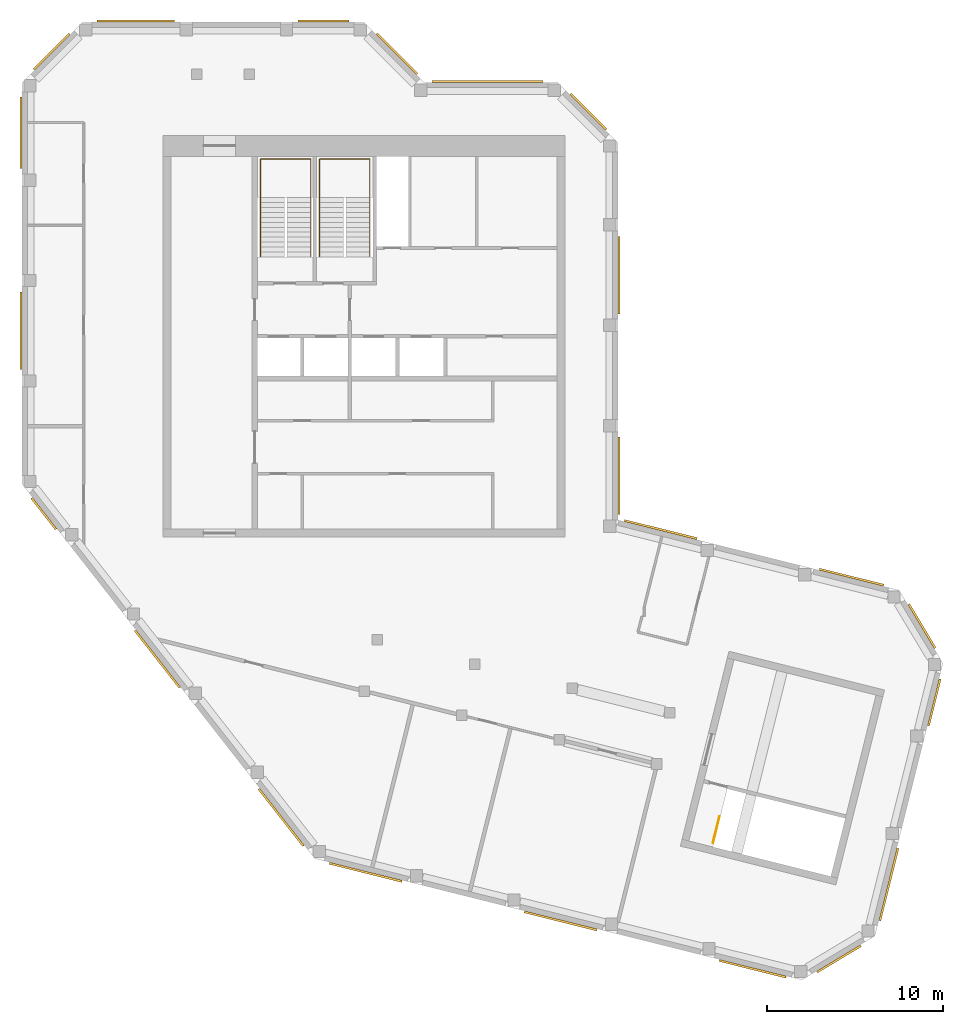
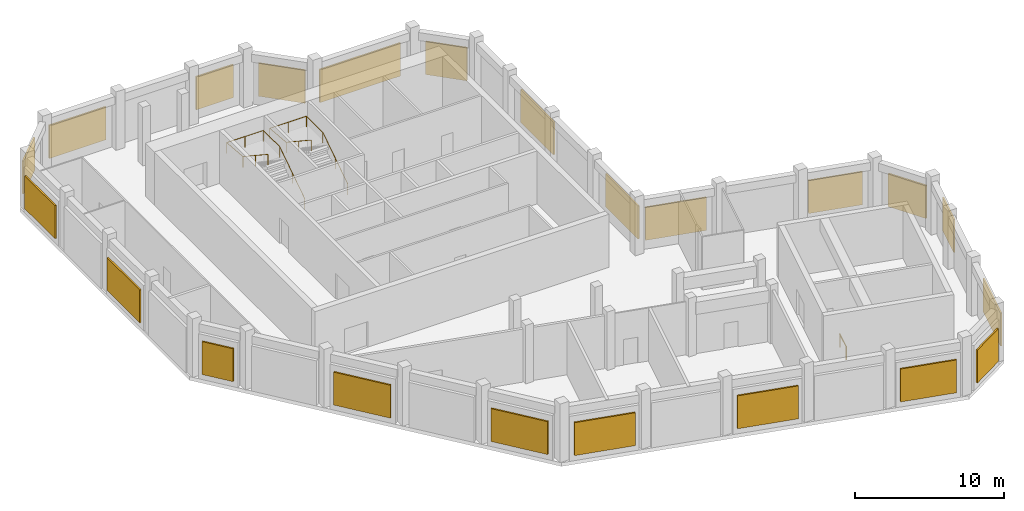
# One storey, part 5 of 5: 22 shading devices, 3 railings.
"""IFC4 building model written with IfcOpenShell, lengths in metres."""

from ifc_helpers import new_model, si_unit, direction, frame, origin, origin_2d, place, context, subcontext, project, spatial, rectangle, circle, extrude, material, layer, layer_set, type_object, element, save


model = new_model("IFC4")

# Units and contexts
model_context = context("Model", 3, precision=1e-05, world=origin(), true_north=direction((0.0, 1.0)))
body_context = subcontext(model_context, "Body", "Model", "MODEL_VIEW")
ifc_project = project(units=[si_unit("LENGTHUNIT", "METRE"), si_unit("AREAUNIT", "SQUARE_METRE"), si_unit("VOLUMEUNIT", "CUBIC_METRE"), si_unit("PLANEANGLEUNIT", "RADIAN"), si_unit("MASSUNIT", "GRAM", prefix="KILO")], contexts=[model_context])

# Site, building, storey
site_placement = place(None, origin())
site = spatial("IfcSite", under=ifc_project, at=site_placement, CompositionType="ELEMENT")
building_placement = place(site_placement, origin())
building = spatial("IfcBuilding", under=site, at=building_placement, Name="Meshkara Civic Tower", CompositionType="ELEMENT")
storey_placement = place(building_placement, frame((0.0, 0.0, 414.60009765625)))
storey = spatial("IfcBuildingStorey", under=building, at=storey_placement, Name="L95 Crown", CompositionType="ELEMENT", Elevation=414.60009765625)

# Shading devices
ifc_material_1 = material(Name="Bronze anodised aluminium louvre blades", Category="aluminium")
ifc_layer = layer(ifc_material_1, 0.1201171875)
ifc_layer_set = layer_set([ifc_layer], Name="CROWN LOUVRE BANK")
shading_device_type = type_object("IfcShadingDeviceType", Name="CROWN LOUVRE BANK", PredefinedType="USERDEFINED", material=ifc_layer_set)
shading_device_1_placement = place(storey_placement, frame((47.06396484375, 11.824951171875, 0.5), z_axis=(0.0, 0.0, 1.0), x_axis=(-0.970287281018, 0.241955765163, 0.0)))
element("IfcShadingDevice", 1, at=shading_device_1_placement, inside=storey, type_object=shading_device_type, Name="Louvre bank", ObjectType="LOUVRE", PredefinedType="USERDEFINED", context=body_context, shape_type="SweptSolid", body=[
    extrude(rectangle(XDim=3.76611328125, YDim=0.1201171875, at=origin_2d()), origin(), (0.0, 0.0, 1.0), 2.699951171875),
])
shading_device_2_placement = place(storey_placement, frame((36.239013671875, 14.52490234375, 0.5), z_axis=(0.0, 0.0, 1.0), x_axis=(-0.970287281018, 0.241955765163, 0.0)))
element("IfcShadingDevice", 2, at=shading_device_2_placement, inside=storey, type_object=shading_device_type, Name="Louvre bank", ObjectType="LOUVRE", PredefinedType="USERDEFINED", context=body_context, shape_type="SweptSolid", body=[
    extrude(rectangle(XDim=4.251953125, YDim=0.1201171875, at=origin_2d()), origin(), (0.0, 0.0, 1.0), 2.699951171875),
])
for number, where, z_axis, x_axis, name in (
    (3, (33.860107421875, 17.569091796875, 0.5), (0.0, 0.0, 1.0), (0.0, 1.0, 0.0), "Louvre bank"),
    (4, (33.860107421875, 28.968994140625, 0.5), (0.0, 0.0, 1.0), (0.0, 1.0, 0.0), "Louvre bank"),
):
    element("IfcShadingDevice", number, at=place(storey_placement, frame(where, z_axis=z_axis, x_axis=x_axis)), inside=storey, type_object=shading_device_type, Name=name, ObjectType="LOUVRE", PredefinedType="USERDEFINED", context=body_context, shape_type="SweptSolid", body=[
        extrude(rectangle(XDim=4.39990234375, YDim=0.1201171875, at=origin_2d()), origin(), (0.0, 0.0, 1.0), 2.699951171875),
    ])
shading_device_3_placement = place(storey_placement, frame((32.132080078125, 38.23193359375, 0.5), z_axis=(0.0, 0.0, 1.0), x_axis=(-0.707106781187, 0.707106781187, 0.0)))
element("IfcShadingDevice", 5, at=shading_device_3_placement, inside=storey, type_object=shading_device_type, Name="Louvre bank", ObjectType="LOUVRE", PredefinedType="USERDEFINED", context=body_context, shape_type="SweptSolid", body=[
    extrude(rectangle(XDim=2.873046875, YDim=0.1201171875, at=origin_2d()), origin(), (0.0, 0.0, 1.0), 2.699951171875),
])
shading_device_4_placement = place(storey_placement, frame((26.404052734375, 39.9599609375, 0.5), z_axis=(0.0, 0.0, 1.0), x_axis=(-1.0, 0.0, 0.0)))
element("IfcShadingDevice", 6, at=shading_device_4_placement, inside=storey, type_object=shading_device_type, Name="Louvre bank", ObjectType="LOUVRE", PredefinedType="USERDEFINED", context=body_context, shape_type="SweptSolid", body=[
    extrude(rectangle(XDim=6.280029296875, YDim=0.1201171875, at=origin_2d()), origin(), (0.0, 0.0, 1.0), 2.699951171875),
])
shading_device_5_placement = place(storey_placement, frame((21.263916015625, 41.52001953125, 0.5), z_axis=(0.0, 0.0, 1.0), x_axis=(-0.707106781187, 0.707106781187, 0.0)))
element("IfcShadingDevice", 7, at=shading_device_5_placement, inside=storey, type_object=shading_device_type, Name="Louvre bank", ObjectType="LOUVRE", PredefinedType="USERDEFINED", context=body_context, shape_type="SweptSolid", body=[
    extrude(rectangle(XDim=3.2470703125, YDim=0.1201171875, at=origin_2d()), origin(), (0.0, 0.0, 1.0), 2.699951171875),
])
shading_device_6_placement = place(storey_placement, frame((17.10009765625, 43.3798828125, 0.5), z_axis=(0.0, 0.0, 1.0), x_axis=(-1.0, 0.0, 0.0)))
element("IfcShadingDevice", 8, at=shading_device_6_placement, inside=storey, type_object=shading_device_type, Name="Louvre bank", ObjectType="LOUVRE", PredefinedType="USERDEFINED", context=body_context, shape_type="SweptSolid", body=[
    extrude(rectangle(XDim=2.887939453125, YDim=0.1201171875, at=origin_2d()), origin(), (0.0, 0.0, 1.0), 2.699951171875),
])
shading_device_7_placement = place(storey_placement, frame((6.4560546875, 43.3798828125, 0.5), z_axis=(0.0, 0.0, 1.0), x_axis=(-1.0, 0.0, 0.0)))
element("IfcShadingDevice", 9, at=shading_device_7_placement, inside=storey, type_object=shading_device_type, Name="Louvre bank", ObjectType="LOUVRE", PredefinedType="USERDEFINED", context=body_context, shape_type="SweptSolid", body=[
    extrude(rectangle(XDim=4.39990234375, YDim=0.1201171875, at=origin_2d()), origin(), (0.0, 0.0, 1.0), 2.699951171875),
])
shading_device_8_placement = place(storey_placement, frame((1.66796875, 41.652099609375, 0.5), z_axis=(0.0, 0.0, 1.0), x_axis=(-0.707106781187, -0.707106781187, 0.0)))
element("IfcShadingDevice", 10, at=shading_device_8_placement, inside=storey, type_object=shading_device_type, Name="Louvre bank", ObjectType="LOUVRE", PredefinedType="USERDEFINED", context=body_context, shape_type="SweptSolid", body=[
    extrude(rectangle(XDim=2.873046875, YDim=0.1201171875, at=origin_2d()), origin(), (0.0, 0.0, 1.0), 2.699951171875),
])
shading_device_9_placement = place(storey_placement, frame((-0.06005859375, 37.033935546875, 0.5), z_axis=(0.0, 0.0, 1.0), x_axis=(0.0, -1.0, 0.0)))
element("IfcShadingDevice", 11, at=shading_device_9_placement, inside=storey, type_object=shading_device_type, Name="Louvre bank", ObjectType="LOUVRE", PredefinedType="USERDEFINED", context=body_context, shape_type="SweptSolid", body=[
    extrude(rectangle(XDim=4.05908203125, YDim=0.1201171875, at=origin_2d()), origin(), (0.0, 0.0, 1.0), 2.699951171875),
])
shading_device_10_placement = place(storey_placement, frame((-0.06005859375, 25.804931640625, 0.5), z_axis=(0.0, 0.0, 1.0), x_axis=(0.0, -1.0, 0.0)))
element("IfcShadingDevice", 12, at=shading_device_10_placement, inside=storey, type_object=shading_device_type, Name="Louvre bank", ObjectType="LOUVRE", PredefinedType="USERDEFINED", context=body_context, shape_type="SweptSolid", body=[
    extrude(rectangle(XDim=4.39990234375, YDim=0.1201171875, at=origin_2d()), origin(), (0.0, 0.0, 1.0), 2.699951171875),
])
shading_device_11_placement = place(storey_placement, frame((1.22998046875, 15.427978515625, 0.5), z_axis=(0.0, 0.0, 1.0), x_axis=(0.615661475326, -0.788010753607, 0.0)))
element("IfcShadingDevice", 13, at=shading_device_11_placement, inside=storey, type_object=shading_device_type, Name="Louvre bank", ObjectType="LOUVRE", PredefinedType="USERDEFINED", context=body_context, shape_type="SweptSolid", body=[
    extrude(rectangle(XDim=2.257080078125, YDim=0.1201171875, at=origin_2d()), origin(), (0.0, 0.0, 1.0), 2.699951171875),
])
for number, where, z_axis, x_axis, name in (
    (14, (7.676025390625, 7.177001953125, 0.5), (0.0, 0.0, 1.0), (0.615661475326, -0.788010753607, 0.0), "Louvre bank"),
    (15, (14.695068359375, -1.805908203125, 0.5), (0.0, 0.0, 1.0), (0.615661475326, -0.788010753607, 0.0), "Louvre bank"),
):
    element("IfcShadingDevice", number, at=place(storey_placement, frame(where, z_axis=z_axis, x_axis=x_axis)), inside=storey, type_object=shading_device_type, Name=name, ObjectType="LOUVRE", PredefinedType="USERDEFINED", context=body_context, shape_type="SweptSolid", body=[
        extrude(rectangle(XDim=4.117919921875, YDim=0.1201171875, at=origin_2d()), origin(), (0.0, 0.0, 1.0), 2.699951171875),
    ])
for number, where, z_axis, x_axis, name in (
    (16, (19.492919921875, -4.922119140625, 0.5), (0.0, 0.0, 1.0), (0.970291503795, -0.241938830418, 0.0), "Louvre bank"),
    (17, (30.553955078125, -7.679931640625, 0.5), (0.0, 0.0, 1.0), (0.970291503795, -0.241938830418, 0.0), "Louvre bank"),
):
    element("IfcShadingDevice", number, at=place(storey_placement, frame(where, z_axis=z_axis, x_axis=x_axis)), inside=storey, type_object=shading_device_type, Name=name, ObjectType="LOUVRE", PredefinedType="USERDEFINED", context=body_context, shape_type="SweptSolid", body=[
        extrude(rectangle(XDim=4.251953125, YDim=0.1201171875, at=origin_2d()), origin(), (0.0, 0.0, 1.0), 2.699951171875),
    ])
shading_device_12_placement = place(storey_placement, frame((41.449951171875, -10.39697265625, 0.5), z_axis=(0.0, 0.0, 1.0), x_axis=(0.970291503795, -0.241938830418, 0.0)))
element("IfcShadingDevice", 18, at=shading_device_12_placement, inside=storey, type_object=shading_device_type, Name="Louvre bank", ObjectType="LOUVRE", PredefinedType="USERDEFINED", context=body_context, shape_type="SweptSolid", body=[
    extrude(rectangle(XDim=3.909912109375, YDim=0.1201171875, at=origin_2d()), origin(), (0.0, 0.0, 1.0), 2.699951171875),
])
shading_device_13_placement = place(storey_placement, frame((46.34912109375, -9.837890625, 0.5), z_axis=(0.0, 0.0, 1.0), x_axis=(0.8571852784, 0.515008153813, 0.0)))
element("IfcShadingDevice", 19, at=shading_device_13_placement, inside=storey, type_object=shading_device_type, Name="Louvre bank", ObjectType="LOUVRE", PredefinedType="USERDEFINED", context=body_context, shape_type="SweptSolid", body=[
    extrude(rectangle(XDim=2.903076171875, YDim=0.1201171875, at=origin_2d()), origin(), (0.0, 0.0, 1.0), 2.699951171875),
])
shading_device_14_placement = place(storey_placement, frame((49.18408203125, -5.60888671875, 0.5), z_axis=(0.0, 0.0, 1.0), x_axis=(0.2419218956, 0.970295726276, 0.0)))
element("IfcShadingDevice", 20, at=shading_device_14_placement, inside=storey, type_object=shading_device_type, Name="Louvre bank", ObjectType="LOUVRE", PredefinedType="USERDEFINED", context=body_context, shape_type="SweptSolid", body=[
    extrude(rectangle(XDim=4.251953125, YDim=0.1201171875, at=origin_2d()), origin(), (0.0, 0.0, 1.0), 2.699951171875),
])
shading_device_15_placement = place(storey_placement, frame((51.759033203125, 4.718017578125, 0.5), z_axis=(0.0, 0.0, 1.0), x_axis=(0.2419218956, 0.970295726276, 0.0)))
element("IfcShadingDevice", 21, at=shading_device_15_placement, inside=storey, type_object=shading_device_type, Name="Louvre bank", ObjectType="LOUVRE", PredefinedType="USERDEFINED", context=body_context, shape_type="SweptSolid", body=[
    extrude(rectangle(XDim=2.739013671875, YDim=0.1201171875, at=origin_2d()), origin(), (0.0, 0.0, 1.0), 2.699951171875),
])
shading_device_16_placement = place(storey_placement, frame((51.05810546875, 9.049072265625, 0.5), z_axis=(0.0, 0.0, 1.0), x_axis=(-0.515008153813, 0.8571852784, 0.0)))
element("IfcShadingDevice", 22, at=shading_device_16_placement, inside=storey, type_object=shading_device_type, Name="Louvre bank", ObjectType="LOUVRE", PredefinedType="USERDEFINED", context=body_context, shape_type="SweptSolid", body=[
    extrude(rectangle(XDim=2.903076171875, YDim=0.1201171875, at=origin_2d()), origin(), (0.0, 0.0, 1.0), 2.699951171875),
])

# Railings
ifc_material_2 = material(Name="Steel guard", Category="steel")
railing_type_1 = type_object("IfcRailingType", Name="Stair guard 1100", PredefinedType="GUARDRAIL", material=ifc_material_2)
railing_1_placement = place(storey_placement, frame((39.198486328125, -3.25390625, 0.0)))
element("IfcRailing", 23, at=railing_1_placement, inside=storey, type_object=railing_type_1, Name="L95 Crown ESB8 top well guard 1", PredefinedType="GUARDRAIL", context=body_context, shape_type="SweptSolid", body=[
    extrude(circle(Radius=0.02392578125, at=origin_2d()), frame((0.0, 0.0, 1.076171875), z_axis=(0.241164026979, 0.970484369834, 0.0), x_axis=(-0.970484369834, 0.241164026979, 0.0)), (0.0, 0.0, 1.0), 1.5498046875),
    extrude(circle(Radius=0.02099609375, at=origin_2d()), origin(), (0.0, 0.0, 1.0), 1.052001953125),
    extrude(circle(Radius=0.02099609375, at=origin_2d()), frame((0.373779296875, 1.504150390625, 0.0)), (0.0, 0.0, 1.0), 1.052001953125),
])
ifc_material_3 = material(Name="Steel handrail", Category="steel")
railing_type_2 = type_object("IfcRailingType", Name="Stair handrail 900", PredefinedType="HANDRAIL", material=ifc_material_3)
railing_2_placement = place(storey_placement, frame((16.375, 30.0, 0.1845703125)))
element("IfcRailing", 24, at=railing_2_placement, inside=storey, type_object=railing_type_2, Name="L95 Crown ST1 stair handrail 1", PredefinedType="HANDRAIL", context=body_context, shape_type="SweptSolid", body=[
    extrude(circle(Radius=0.02392578125, at=origin_2d()), frame((0.0, 0.0, 0.8759765625), z_axis=(0.0, 0.834876476806, 0.550437342915), x_axis=(-1.0, 0.0, 0.0)), (0.0, 0.0, 1.0), 4.024658203125),
    extrude(circle(Radius=0.02392578125, at=origin_2d()), frame((0.0, 3.360107421875, 3.09130859375), z_axis=(0.0, 1.0, 0.0), x_axis=(-1.0, 0.0, 0.0)), (0.0, 0.0, 1.0), 2.18994140625),
    extrude(circle(Radius=0.02392578125, at=origin_2d()), frame((0.0, 5.550048828125, 3.09130859375), z_axis=(-1.0, 0.0, 0.0), x_axis=(0.0, -1.0, 0.0)), (0.0, 0.0, 1.0), 2.85009765625),
    extrude(circle(Radius=0.02392578125, at=origin_2d()), frame((-2.85009765625, 5.550048828125, 3.09130859375), z_axis=(0.0, -0.996467171765, 0.083983186383), x_axis=(1.0, 0.0, 0.0)), (0.0, 0.0, 1.0), 2.19775390625),
    extrude(circle(Radius=0.02392578125, at=origin_2d()), frame((-2.85009765625, 3.360107421875, 3.27587890625), z_axis=(0.0, -0.834876476806, 0.550437342915), x_axis=(1.0, 0.0, 0.0)), (0.0, 0.0, 1.0), 4.024658203125),
    extrude(circle(Radius=0.02099609375, at=origin_2d()), origin(), (0.0, 0.0, 1.0), 0.851806640625),
    extrude(circle(Radius=0.02099609375, at=origin_2d()), frame((0.0, 1.68017578125, 1.107666015625)), (0.0, 0.0, 1.0), 0.851806640625),
    extrude(circle(Radius=0.02099609375, at=origin_2d()), frame((0.0, 3.360107421875, 2.21533203125)), (0.0, 0.0, 1.0), 0.851806640625),
    extrude(circle(Radius=0.02099609375, at=origin_2d()), frame((0.0, 5.550048828125, 2.21533203125)), (0.0, 0.0, 1.0), 0.851806640625),
    extrude(circle(Radius=0.02099609375, at=origin_2d()), frame((-1.425048828125, 5.550048828125, 2.21533203125)), (0.0, 0.0, 1.0), 0.851806640625),
    extrude(circle(Radius=0.02099609375, at=origin_2d()), frame((-2.85009765625, 5.550048828125, 2.21533203125)), (0.0, 0.0, 1.0), 0.851806640625),
    extrude(circle(Radius=0.02099609375, at=origin_2d()), frame((-2.85009765625, 3.360107421875, 2.39990234375)), (0.0, 0.0, 1.0), 0.851806640625),
    extrude(circle(Radius=0.02099609375, at=origin_2d()), frame((-2.85009765625, 1.68017578125, 3.507568359375)), (0.0, 0.0, 1.0), 0.851806640625),
    extrude(circle(Radius=0.02099609375, at=origin_2d()), frame((-2.85009765625, 0.0, 4.615234375)), (0.0, 0.0, 1.0), 0.851806640625),
])
railing_3_placement = place(storey_placement, frame((19.72509765625, 30.0, 0.1845703125)))
element("IfcRailing", 25, at=railing_3_placement, inside=storey, type_object=railing_type_2, Name="L95 Crown ST2 stair handrail 1", PredefinedType="HANDRAIL", context=body_context, shape_type="SweptSolid", body=[
    extrude(circle(Radius=0.02392578125, at=origin_2d()), frame((0.0, 0.0, 0.8759765625), z_axis=(0.0, 0.834876476806, 0.550437342915), x_axis=(-1.0, 0.0, 0.0)), (0.0, 0.0, 1.0), 4.024658203125),
    extrude(circle(Radius=0.02392578125, at=origin_2d()), frame((0.0, 3.360107421875, 3.09130859375), z_axis=(0.0, 1.0, 0.0), x_axis=(-1.0, 0.0, 0.0)), (0.0, 0.0, 1.0), 2.18994140625),
    extrude(circle(Radius=0.02392578125, at=origin_2d()), frame((0.0, 5.550048828125, 3.09130859375), z_axis=(-1.0, 0.0, 0.0), x_axis=(0.0, -1.0, 0.0)), (0.0, 0.0, 1.0), 2.85009765625),
    extrude(circle(Radius=0.02392578125, at=origin_2d()), frame((-2.85009765625, 5.550048828125, 3.09130859375), z_axis=(0.0, -0.996467171765, 0.083983186383), x_axis=(1.0, 0.0, 0.0)), (0.0, 0.0, 1.0), 2.19775390625),
    extrude(circle(Radius=0.02392578125, at=origin_2d()), frame((-2.85009765625, 3.360107421875, 3.27587890625), z_axis=(0.0, -0.834876476806, 0.550437342915), x_axis=(1.0, 0.0, 0.0)), (0.0, 0.0, 1.0), 4.024658203125),
    extrude(circle(Radius=0.02099609375, at=origin_2d()), origin(), (0.0, 0.0, 1.0), 0.851806640625),
    extrude(circle(Radius=0.02099609375, at=origin_2d()), frame((0.0, 1.68017578125, 1.107666015625)), (0.0, 0.0, 1.0), 0.851806640625),
    extrude(circle(Radius=0.02099609375, at=origin_2d()), frame((0.0, 3.360107421875, 2.21533203125)), (0.0, 0.0, 1.0), 0.851806640625),
    extrude(circle(Radius=0.02099609375, at=origin_2d()), frame((0.0, 5.550048828125, 2.21533203125)), (0.0, 0.0, 1.0), 0.851806640625),
    extrude(circle(Radius=0.02099609375, at=origin_2d()), frame((-1.425048828125, 5.550048828125, 2.21533203125)), (0.0, 0.0, 1.0), 0.851806640625),
    extrude(circle(Radius=0.02099609375, at=origin_2d()), frame((-2.85009765625, 5.550048828125, 2.21533203125)), (0.0, 0.0, 1.0), 0.851806640625),
    extrude(circle(Radius=0.02099609375, at=origin_2d()), frame((-2.85009765625, 3.360107421875, 2.39990234375)), (0.0, 0.0, 1.0), 0.851806640625),
    extrude(circle(Radius=0.02099609375, at=origin_2d()), frame((-2.85009765625, 1.68017578125, 3.507568359375)), (0.0, 0.0, 1.0), 0.851806640625),
    extrude(circle(Radius=0.02099609375, at=origin_2d()), frame((-2.85009765625, 0.0, 4.615234375)), (0.0, 0.0, 1.0), 0.851806640625),
])

save(model, "model.ifc")
